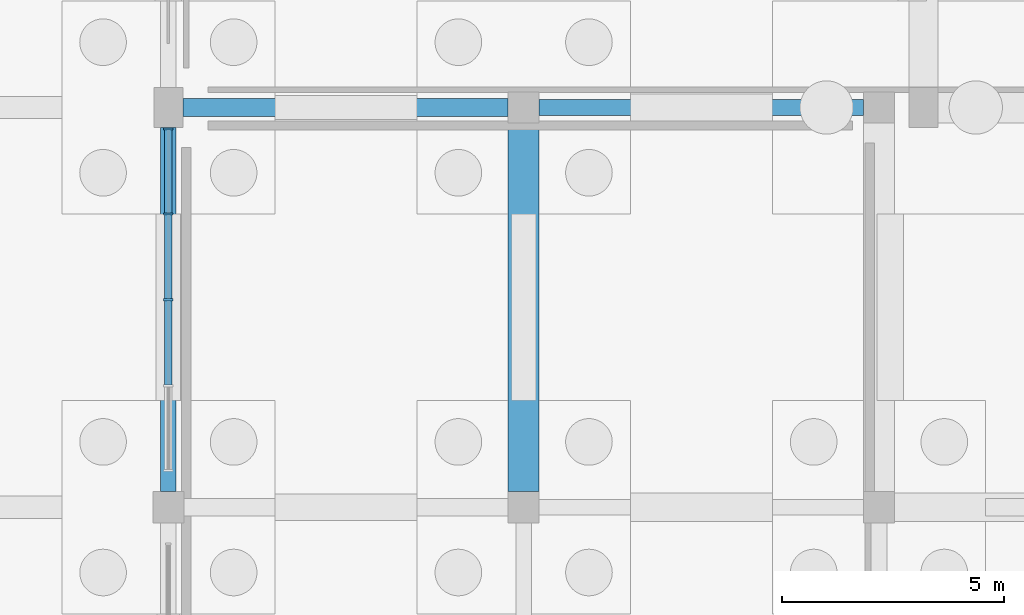
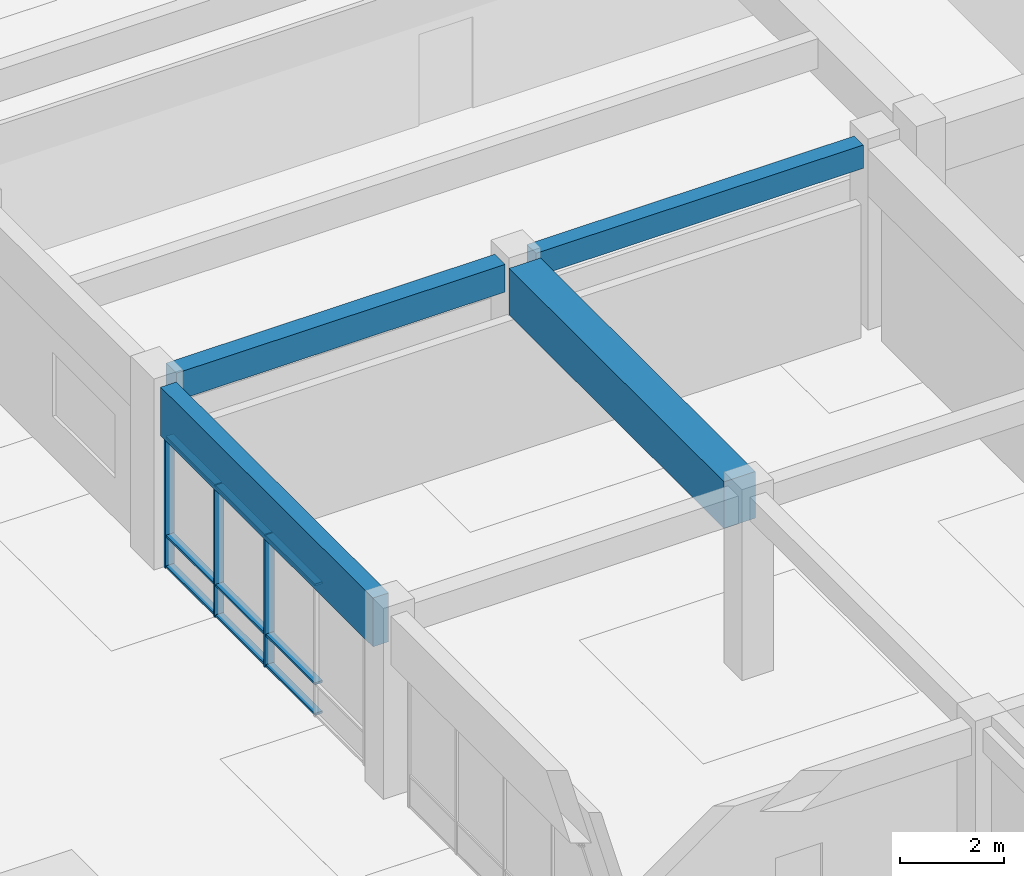
# One storey, part 25 of 84: 12 members, 4 beams, 1 element without a shape of its own.
"""IFC4 building model written with IfcOpenShell, lengths in metres."""

import ifcopenshell
import ifcopenshell.guid

model = None  # the IFC model being written
_history = None  # IfcOwnerHistory: only IFC2X3 demands one
_inside = {}  # id of a spatial element -> (the spatial element, [elements in it])
_under = {}  # id of a project, library or spatial element -> (it, [spatial elements below it])
_declared = {}  # id of a project -> (the project, [libraries it declares])
_typed = {}  # id of a type object -> (the type object, [elements of that type])
_made_of = {}  # id of a material, layer set ... -> (it, [elements and type objects made of it])


def new_model(schema):
    """Start an empty IFC model of exactly this schema.

    Asked for "IFC4X3", IfcOpenShell would pick the latest addendum, in which some entities
    have other attributes; the version numbers below select the first issue.
    IFC2X3 requires an IfcOwnerHistory on every rooted entity: one is made here for all.
    """
    global model, _history
    if schema == "IFC4X3":
        model = ifcopenshell.file(schema_version=(4, 3, 0, 0))
    else:
        model = ifcopenshell.file(schema=schema)
    _inside.clear()
    _under.clear()
    _declared.clear()
    _typed.clear()
    _made_of.clear()
    _history = None
    if model.schema == "IFC2X3":
        org = make("IfcOrganization", Name="unknown")
        user = make(
            "IfcPersonAndOrganization",
            ThePerson=make("IfcPerson", FamilyName="unknown"),
            TheOrganization=org,
        )
        app = make(
            "IfcApplication",
            ApplicationDeveloper=org,
            Version="unknown",
            ApplicationFullName="unknown",
            ApplicationIdentifier="unknown",
        )
        _history = make(
            "IfcOwnerHistory",
            OwningUser=user,
            OwningApplication=app,
            ChangeAction="ADDED",
            CreationDate=0,
        )
    return model


def make(cls, **values):
    """One entity of the class cls with the attributes given. An attribute that is None is left unset."""
    return model.create_entity(
        cls, **{name: value for name, value in values.items() if value is not None}
    )


def rooted(cls, **values):
    """An entity with a GlobalId (a new one), such as an element, a storey or a relation."""
    return make(cls, GlobalId=ifcopenshell.guid.new(), OwnerHistory=_history, **values)


def si_unit(unit_type, name, prefix=None):
    """IfcSIUnit, for example si_unit("LENGTHUNIT", "METRE", prefix="MILLI")."""
    return make("IfcSIUnit", UnitType=unit_type, Prefix=prefix, Name=name)


def assignment(units):
    """IfcUnitAssignment: the units of a project."""
    return None if units is None else make("IfcUnitAssignment", Units=units)


def point(xyz):
    """IfcCartesianPoint."""
    return None if xyz is None else make("IfcCartesianPoint", Coordinates=xyz)


def direction(xyz):
    """IfcDirection."""
    return None if xyz is None else make("IfcDirection", DirectionRatios=xyz)


def frame(location, z_axis=None, x_axis=None):
    """IfcAxis2Placement3D, a coordinate frame: its origin and axes. An axis left out is left unset."""
    return make(
        "IfcAxis2Placement3D",
        Location=point(location),
        Axis=direction(z_axis),
        RefDirection=direction(x_axis),
    )


def frame_2d(location, x_axis=None):
    """IfcAxis2Placement2D, a coordinate frame in the plane: its origin and x axis."""
    return make(
        "IfcAxis2Placement2D", Location=point(location), RefDirection=direction(x_axis)
    )


def origin():
    """The frame at (0, 0, 0) with its axes left unset."""
    return frame((0.0, 0.0, 0.0))


def origin_2d():
    """The frame at (0, 0) in the plane with its x axis left unset."""
    return frame_2d((0.0, 0.0))


def place(relative_to, where):
    """IfcLocalPlacement: puts the frame where relative to a parent placement (None: the world)."""
    return make(
        "IfcLocalPlacement", PlacementRelTo=relative_to, RelativePlacement=where
    )


def context(
    kind, dimensions, precision=None, world=None, true_north=None, identifier=None
):
    """IfcGeometricRepresentationContext, for example the 3D "Model" context."""
    return make(
        "IfcGeometricRepresentationContext",
        ContextIdentifier=identifier,
        ContextType=kind,
        CoordinateSpaceDimension=dimensions,
        Precision=precision,
        WorldCoordinateSystem=world,
        TrueNorth=true_north,
    )


def subcontext(parent, identifier, kind, view, scale=None):
    """IfcGeometricRepresentationSubContext, for example "Body" below "Model"."""
    return make(
        "IfcGeometricRepresentationSubContext",
        ContextIdentifier=identifier,
        ContextType=kind,
        ParentContext=parent,
        TargetScale=scale,
        TargetView=view,
    )


def project(units=None, contexts=None):
    """IfcProject with its units and contexts."""
    return rooted(
        "IfcProject",
        Name="project",
        RepresentationContexts=contexts,
        UnitsInContext=assignment(units),
    )


def spatial(cls, under=None, at=None, **own):
    """A site, building, storey or space (cls), placed at a placement, below another one or the project."""
    s = rooted(cls, ObjectPlacement=at, **own)
    if under is not None:
        _under.setdefault(under.id(), (under, []))[1].append(s)
    return s


def profile(cls, at=None, kind="AREA", **sizes):
    """A parametric profile (cls). Its sizes go by their IFC names, for example OverallWidth=200.0."""
    return make(cls, ProfileType=kind, Position=at, **sizes)


def rectangle(**sizes):
    """IfcRectangleProfileDef."""
    return profile("IfcRectangleProfileDef", **sizes)


def extrude(swept, where, along, depth):
    """IfcExtrudedAreaSolid: the profile swept, set in the frame where, extruded along a direction by depth."""
    return make(
        "IfcExtrudedAreaSolid",
        SweptArea=swept,
        Position=where,
        ExtrudedDirection=direction(along),
        Depth=depth,
    )


def shape(context_of_items, identifier, shape_type, items):
    """IfcShapeRepresentation: the items that make up one representation, for example the "Body"."""
    return make(
        "IfcShapeRepresentation",
        ContextOfItems=context_of_items,
        RepresentationIdentifier=identifier,
        RepresentationType=shape_type,
        Items=items,
    )


def material(Name=None, Category=None):
    """IfcMaterial."""
    return make("IfcMaterial", Name=Name, Category=Category)


def material_profile(
    of_material, cross_section, Name=None, Category=None, Priority=None
):
    """IfcMaterialProfile: a cross section and its material."""
    return make(
        "IfcMaterialProfile",
        Name=Name,
        Material=of_material,
        Profile=cross_section,
        Priority=Priority,
        Category=Category,
    )


def profile_set(profiles, Name=None, composite=None):
    """IfcMaterialProfileSet."""
    return make(
        "IfcMaterialProfileSet",
        Name=Name,
        MaterialProfiles=profiles,
        CompositeProfile=composite,
    )


def made_of(thing, what):
    """Note that an element or type object is made of a material, layer set ...; save() writes the relation."""
    if what is not None:
        _made_of.setdefault(what.id(), (what, []))[1].append(thing)
    return thing


def type_object(cls, material=None, **own):
    """A type object (cls), such as IfcWallType, which elements share."""
    return made_of(rooted(cls, **own), material)


def element(
    cls,
    number,
    at=None,
    inside=None,
    cuts=None,
    type_object=None,
    material=None,
    context=None,
    identifier="Body",
    shape_type=None,
    held_by="IfcProductDefinitionShape",
    body=None,
    shapes=None,
    **own,
):
    """One element of the class cls, such as IfcWall. Its Tag is "e" and its number.

    at: its placement. inside: the storey or other place that contains it. cuts: it is an
    opening in that element (IfcRelVoidsElement). A single representation is given by context,
    identifier, shape_type and body (its items); several are given by shapes. held_by: the class
    of the entity that holds the representations. save() writes the other relations.
    """
    e = rooted(cls, Tag="e%d" % number, ObjectPlacement=at, **own)
    if body is not None:
        shapes = [shape(context, identifier, shape_type, body)]
    if shapes is not None:
        e.Representation = make(held_by, Representations=shapes)
    if inside is not None:
        _inside.setdefault(inside.id(), (inside, []))[1].append(e)
    if cuts is not None:
        rooted(
            "IfcRelVoidsElement", RelatingBuildingElement=cuts, RelatedOpeningElement=e
        )
    if type_object is not None:
        _typed.setdefault(type_object.id(), (type_object, []))[1].append(e)
    return made_of(e, material)


def aggregate(whole, parts):
    """IfcRelAggregates: a whole, such as a stair, and the parts it consists of."""
    return rooted("IfcRelAggregates", RelatingObject=whole, RelatedObjects=parts)


def save(model, path):
    """Write the relations noted so far, then the file.

    IfcRelAggregates (storeys below a building ...), IfcRelContainedInSpatialStructure (elements
    in a storey), IfcRelDefinesByType, IfcRelAssociatesMaterial and IfcRelDeclares: one each for
    every whole, place, type object, material and project.
    """
    for whole, parts in _under.values():
        aggregate(whole, parts)
    for where, things in _inside.values():
        rooted(
            "IfcRelContainedInSpatialStructure",
            RelatedElements=things,
            RelatingStructure=where,
        )
    for kind, things in _typed.values():
        rooted("IfcRelDefinesByType", RelatedObjects=things, RelatingType=kind)
    for what, things in _made_of.values():
        rooted("IfcRelAssociatesMaterial", RelatedObjects=things, RelatingMaterial=what)
    for by, libraries in _declared.values():
        rooted("IfcRelDeclares", RelatingContext=by, RelatedDefinitions=libraries)
    model.write(path)


model = new_model("IFC4")

# Units and contexts
model_context = context("Model", 3, precision=1e-05, world=origin(), true_north=direction((0.0, 1.0)))
body_context = subcontext(model_context, "Body", "Model", "MODEL_VIEW")
ifc_project = project(units=[si_unit("LENGTHUNIT", "METRE"), si_unit("AREAUNIT", "SQUARE_METRE"), si_unit("VOLUMEUNIT", "CUBIC_METRE"), si_unit("PLANEANGLEUNIT", "RADIAN"), si_unit("MASSUNIT", "GRAM", prefix="KILO")], contexts=[model_context])

# Site, building, storey
site_placement = place(None, origin())
site = spatial("IfcSite", under=ifc_project, at=site_placement, CompositionType="ELEMENT")
building_placement = place(site_placement, origin())
building = spatial("IfcBuilding", under=site, at=building_placement, Name="Larkveld Mobility Hub", CompositionType="ELEMENT")
storey_placement = place(building_placement, origin())
storey = spatial("IfcBuildingStorey", under=building, at=storey_placement, Name="L00", CompositionType="ELEMENT", Elevation=0.0)

# Beams
ifc_material_1 = material(Name="Concrete C40/50", Category="concrete")
ifc_material_profile_1 = material_profile(ifc_material_1, rectangle(XDim=0.35009765625, YDim=0.550048828125, at=origin_2d()), Name="RC BM 350x550")
ifc_profile_set_1 = profile_set([ifc_material_profile_1], Name="Concrete C40/50")
beam_type_1 = type_object("IfcBeamType", Name="BM-RC3555", PredefinedType="BEAM", material=ifc_profile_set_1)
beam_1_placement = place(storey_placement, frame((120.35009765625, 28.0, 3.985107421875), z_axis=(1.0, 0.0, 0.0), x_axis=(0.0, 1.0, 0.0)))
element("IfcBeam", 1, at=beam_1_placement, inside=storey, type_object=beam_type_1, Name="Primary E-W Girder L00-0017", PredefinedType="BEAM", context=body_context, shape_type="SweptSolid", body=[
    extrude(rectangle(XDim=0.35009765625, YDim=0.550048828125, at=origin_2d()), origin(), (0.0, 0.0, 1.0), 7.2998046875),
])
ifc_material_profile_2 = material_profile(ifc_material_1, rectangle(XDim=0.39990234375, YDim=0.64990234375, at=origin_2d()), Name="RC BM 400x650")
ifc_profile_set_2 = profile_set([ifc_material_profile_2], Name="Concrete C40/50")
beam_type_2 = type_object("IfcBeamType", Name="BM-RC4065", PredefinedType="BEAM", material=ifc_profile_set_2)
beam_2_placement = place(storey_placement, frame((112.324951171875, 28.0, 3.93505859375), z_axis=(1.0, 0.0, 0.0), x_axis=(0.0, 1.0, 0.0)))
element("IfcBeam", 2, at=beam_2_placement, inside=storey, type_object=beam_type_2, Name="Primary E-W Girder L00-0016", PredefinedType="BEAM", context=body_context, shape_type="SweptSolid", body=[
    extrude(rectangle(XDim=0.39990234375, YDim=0.64990234375, at=origin_2d()), origin(), (0.0, 0.0, 1.0), 7.324951171875),
])
ifc_material_profile_3 = material_profile(ifc_material_1, rectangle(XDim=0.699951171875, YDim=1.10009765625, at=origin_2d()), Name="RC BM 700x1100")
ifc_profile_set_3 = profile_set([ifc_material_profile_3], Name="Concrete C40/50")
beam_type_3 = type_object("IfcBeamType", Name="BM-RC70110", PredefinedType="BEAM", material=ifc_profile_set_3)
beam_3_placement = place(storey_placement, frame((120.0, 19.35009765625, 3.7099609375), z_axis=(0.0, 1.0, 0.0), x_axis=(-1.0, 0.0, 0.0)))
element("IfcBeam", 3, at=beam_3_placement, inside=storey, type_object=beam_type_3, Name="Primary N-S Girder L00-0177", PredefinedType="BEAM", context=body_context, shape_type="SweptSolid", body=[
    extrude(rectangle(XDim=0.699951171875, YDim=1.10009765625, at=origin_2d()), origin(), (0.0, 0.0, 1.0), 8.2998046875),
])
ifc_material_2 = material(Name="Precast concrete C50/60", Category="concrete")
ifc_material_profile_4 = material_profile(ifc_material_2, rectangle(XDim=0.35009765625, YDim=1.14990234375, at=origin_2d()), Name="PC SP 350x1150")
ifc_profile_set_4 = profile_set([ifc_material_profile_4], Name="Precast concrete C50/60")
beam_type_4 = type_object("IfcBeamType", Name="BM-SP35115", PredefinedType="SPANDREL", material=ifc_profile_set_4)
beam_4_placement = place(storey_placement, frame((112.0, 19.35009765625, 3.68505859375), z_axis=(0.0, 1.0, 0.0), x_axis=(-1.0, 0.0, 0.0)))
element("IfcBeam", 4, at=beam_4_placement, inside=storey, type_object=beam_type_4, Name="Primary N-S Girder L00-0160", PredefinedType="SPANDREL", context=body_context, shape_type="SweptSolid", body=[
    extrude(rectangle(XDim=0.35009765625, YDim=1.14990234375, at=origin_2d()), origin(), (0.0, 0.0, 1.0), 8.199951171875),
])

# Curtain wall, members
ifc_material_3 = material(Name="Anodised aluminium 6063-T6", Category="aluminium")
curtain_wall_type = type_object("IfcCurtainWallType", Name="CW-SYS-07", PredefinedType="NOTDEFINED", material=ifc_material_3)
curtain_wall_placement = place(storey_placement, origin())
curtain_wall = element("IfcCurtainWall", 5, at=curtain_wall_placement, inside=storey, type_object=curtain_wall_type, Name="Public Passage East Service Facade L00 CW-091", PredefinedType="NOTDEFINED")
ifc_material_profile_5 = material_profile(ifc_material_3, rectangle(XDim=0.050048828125, YDim=0.2099609375, at=origin_2d()), Name="ALU MULL 50x210")
ifc_profile_set_5 = profile_set([ifc_material_profile_5], Name="Anodised aluminium 6063-T6")
member_type_1 = type_object("IfcMemberType", Name="CW-MUL-03", PredefinedType="MULLION", material=ifc_profile_set_5)
member_1_placement = place(storey_placement, frame((112.0, 27.514892578125, -0.001953125), z_axis=(0.0, 0.0, 1.0), x_axis=(0.0, -1.0, 0.0)))
member_1 = element("IfcMember", 6, at=member_1_placement, type_object=member_type_1, Name="CW07 mullion 1", PredefinedType="MULLION", context=body_context, shape_type="SweptSolid", body=[
    extrude(rectangle(XDim=0.050048828125, YDim=0.2099609375, at=origin_2d()), origin(), (0.0, 0.0, 1.0), 3.112060546875),
])
member_2_placement = place(storey_placement, frame((112.0, 25.60498046875, -0.001953125), z_axis=(0.0, 0.0, 1.0), x_axis=(0.0, -1.0, 0.0)))
member_2 = element("IfcMember", 7, at=member_2_placement, type_object=member_type_1, Name="CW07 mullion 2", PredefinedType="MULLION", context=body_context, shape_type="SweptSolid", body=[
    extrude(rectangle(XDim=0.050048828125, YDim=0.2099609375, at=origin_2d()), origin(), (0.0, 0.0, 1.0), 3.112060546875),
])
member_3_placement = place(storey_placement, frame((112.0, 23.669921875, -0.001953125), z_axis=(0.0, 0.0, 1.0), x_axis=(0.0, -1.0, 0.0)))
member_3 = element("IfcMember", 8, at=member_3_placement, type_object=member_type_1, Name="CW07 mullion 3", PredefinedType="MULLION", context=body_context, shape_type="SweptSolid", body=[
    extrude(rectangle(XDim=0.050048828125, YDim=0.2099609375, at=origin_2d()), origin(), (0.0, 0.0, 1.0), 3.112060546875),
])
ifc_material_profile_6 = material_profile(ifc_material_3, rectangle(XDim=0.169921875, YDim=0.050048828125, at=origin_2d()), Name="ALU TRAN 50x170")
ifc_profile_set_6 = profile_set([ifc_material_profile_6], Name="Anodised aluminium 6063-T6")
member_type_2 = type_object("IfcMemberType", Name="CW-TRN-03", PredefinedType="USERDEFINED", material=ifc_profile_set_6)
member_4_placement = place(storey_placement, frame((112.0, 27.5048828125, 0.030029296875), z_axis=(0.0, -1.0, 0.0), x_axis=(1.0, 0.0, 0.0)))
member_4 = element("IfcMember", 9, at=member_4_placement, type_object=member_type_2, Name="CW07 transom 1.1", ObjectType="TRANSOM", PredefinedType="USERDEFINED", context=body_context, shape_type="SweptSolid", body=[
    extrude(rectangle(XDim=0.169921875, YDim=0.050048828125, at=origin_2d()), origin(), (0.0, 0.0, 1.0), 1.884765625),
])
member_5_placement = place(storey_placement, frame((112.0, 27.5048828125, 0.75), z_axis=(0.0, -1.0, 0.0), x_axis=(1.0, 0.0, 0.0)))
member_5 = element("IfcMember", 10, at=member_5_placement, type_object=member_type_2, Name="CW07 transom 1.2", ObjectType="TRANSOM", PredefinedType="USERDEFINED", context=body_context, shape_type="SweptSolid", body=[
    extrude(rectangle(XDim=0.169921875, YDim=0.050048828125, at=origin_2d()), origin(), (0.0, 0.0, 1.0), 1.884765625),
])
member_6_placement = place(storey_placement, frame((112.0, 27.5048828125, 3.077880859375), z_axis=(0.0, -1.0, 0.0), x_axis=(1.0, 0.0, 0.0)))
member_6 = element("IfcMember", 11, at=member_6_placement, type_object=member_type_2, Name="CW07 transom 1.3", ObjectType="TRANSOM", PredefinedType="USERDEFINED", context=body_context, shape_type="SweptSolid", body=[
    extrude(rectangle(XDim=0.169921875, YDim=0.050048828125, at=origin_2d()), origin(), (0.0, 0.0, 1.0), 1.884765625),
])
member_7_placement = place(storey_placement, frame((112.0, 25.590087890625, 0.030029296875), z_axis=(0.0, -1.0, 0.0), x_axis=(1.0, 0.0, 0.0)))
member_7 = element("IfcMember", 12, at=member_7_placement, type_object=member_type_2, Name="CW07 transom 2.1", ObjectType="TRANSOM", PredefinedType="USERDEFINED", context=body_context, shape_type="SweptSolid", body=[
    extrude(rectangle(XDim=0.169921875, YDim=0.050048828125, at=origin_2d()), origin(), (0.0, 0.0, 1.0), 1.905029296875),
])
member_8_placement = place(storey_placement, frame((112.0, 25.590087890625, 0.75), z_axis=(0.0, -1.0, 0.0), x_axis=(1.0, 0.0, 0.0)))
member_8 = element("IfcMember", 13, at=member_8_placement, type_object=member_type_2, Name="CW07 transom 2.2", ObjectType="TRANSOM", PredefinedType="USERDEFINED", context=body_context, shape_type="SweptSolid", body=[
    extrude(rectangle(XDim=0.169921875, YDim=0.050048828125, at=origin_2d()), origin(), (0.0, 0.0, 1.0), 1.905029296875),
])
member_9_placement = place(storey_placement, frame((112.0, 25.590087890625, 3.077880859375), z_axis=(0.0, -1.0, 0.0), x_axis=(1.0, 0.0, 0.0)))
member_9 = element("IfcMember", 14, at=member_9_placement, type_object=member_type_2, Name="CW07 transom 2.3", ObjectType="TRANSOM", PredefinedType="USERDEFINED", context=body_context, shape_type="SweptSolid", body=[
    extrude(rectangle(XDim=0.169921875, YDim=0.050048828125, at=origin_2d()), origin(), (0.0, 0.0, 1.0), 1.905029296875),
])
member_10_placement = place(storey_placement, frame((112.0, 23.655029296875, 0.030029296875), z_axis=(0.0, -1.0, 0.0), x_axis=(1.0, 0.0, 0.0)))
member_10 = element("IfcMember", 15, at=member_10_placement, type_object=member_type_2, Name="CW07 transom 3.1", ObjectType="TRANSOM", PredefinedType="USERDEFINED", context=body_context, shape_type="SweptSolid", body=[
    extrude(rectangle(XDim=0.169921875, YDim=0.050048828125, at=origin_2d()), origin(), (0.0, 0.0, 1.0), 1.905029296875),
])
member_11_placement = place(storey_placement, frame((112.0, 23.655029296875, 0.75), z_axis=(0.0, -1.0, 0.0), x_axis=(1.0, 0.0, 0.0)))
member_11 = element("IfcMember", 16, at=member_11_placement, type_object=member_type_2, Name="CW07 transom 3.2", ObjectType="TRANSOM", PredefinedType="USERDEFINED", context=body_context, shape_type="SweptSolid", body=[
    extrude(rectangle(XDim=0.169921875, YDim=0.050048828125, at=origin_2d()), origin(), (0.0, 0.0, 1.0), 1.905029296875),
])
member_12_placement = place(storey_placement, frame((112.0, 23.655029296875, 3.077880859375), z_axis=(0.0, -1.0, 0.0), x_axis=(1.0, 0.0, 0.0)))
member_12 = element("IfcMember", 17, at=member_12_placement, type_object=member_type_2, Name="CW07 transom 3.3", ObjectType="TRANSOM", PredefinedType="USERDEFINED", context=body_context, shape_type="SweptSolid", body=[
    extrude(rectangle(XDim=0.169921875, YDim=0.050048828125, at=origin_2d()), origin(), (0.0, 0.0, 1.0), 1.905029296875),
])
aggregate(curtain_wall, [member_1, member_2, member_3, member_4, member_5, member_6, member_7, member_8, member_9, member_10, member_11, member_12])

save(model, "model.ifc")
